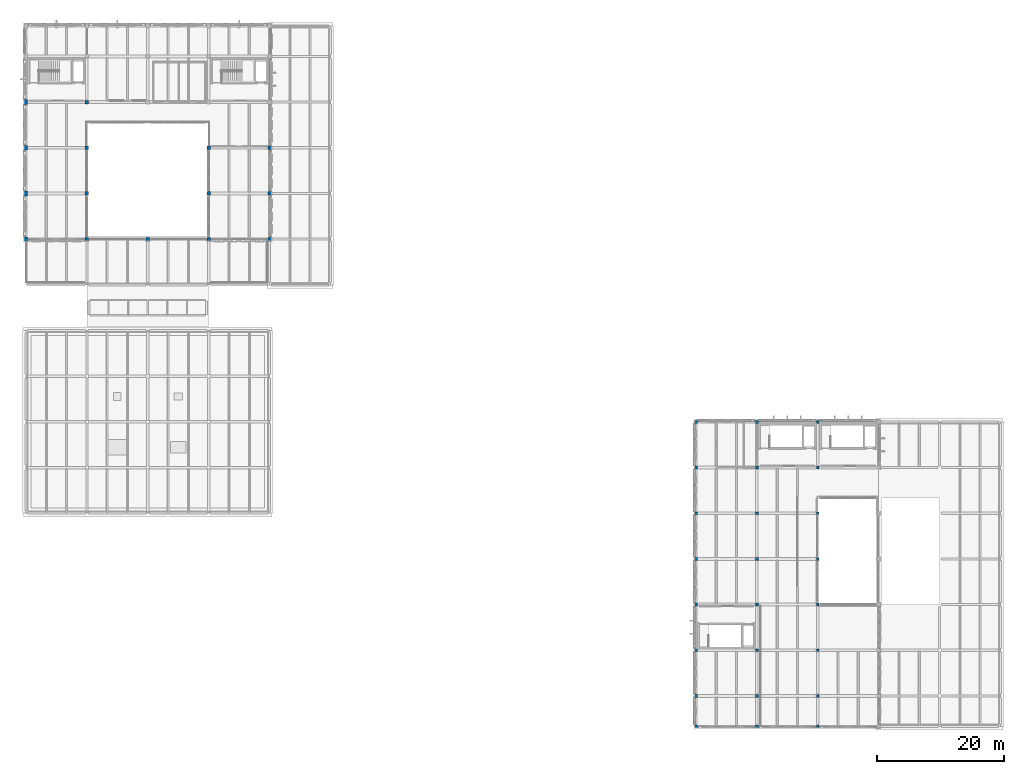
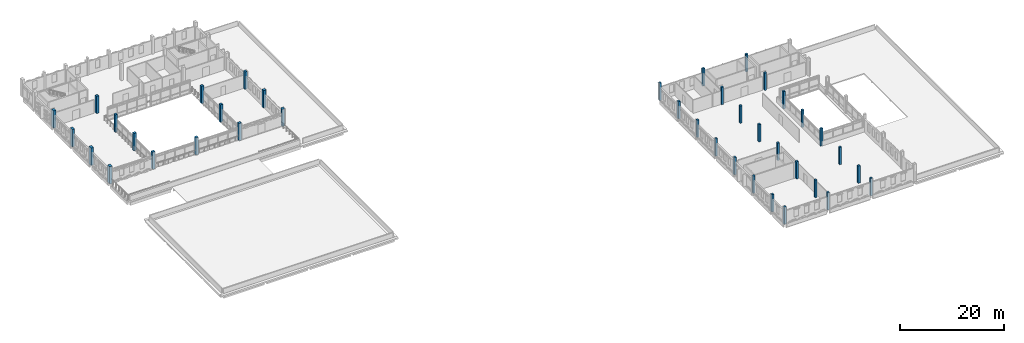
# One storey, part 1 of 50: 39 columns.
"""IFC4 building model written with IfcOpenShell, lengths in metres."""

import ifcopenshell
import ifcopenshell.guid

model = None  # the IFC model being written
_history = None  # IfcOwnerHistory: only IFC2X3 demands one
_inside = {}  # id of a spatial element -> (the spatial element, [elements in it])
_under = {}  # id of a project, library or spatial element -> (it, [spatial elements below it])
_declared = {}  # id of a project -> (the project, [libraries it declares])
_typed = {}  # id of a type object -> (the type object, [elements of that type])
_made_of = {}  # id of a material, layer set ... -> (it, [elements and type objects made of it])


def new_model(schema):
    """Start an empty IFC model of exactly this schema.

    Asked for "IFC4X3", IfcOpenShell would pick the latest addendum, in which some entities
    have other attributes; the version numbers below select the first issue.
    IFC2X3 requires an IfcOwnerHistory on every rooted entity: one is made here for all.
    """
    global model, _history
    if schema == "IFC4X3":
        model = ifcopenshell.file(schema_version=(4, 3, 0, 0))
    else:
        model = ifcopenshell.file(schema=schema)
    _inside.clear()
    _under.clear()
    _declared.clear()
    _typed.clear()
    _made_of.clear()
    _history = None
    if model.schema == "IFC2X3":
        org = make("IfcOrganization", Name="unknown")
        user = make(
            "IfcPersonAndOrganization",
            ThePerson=make("IfcPerson", FamilyName="unknown"),
            TheOrganization=org,
        )
        app = make(
            "IfcApplication",
            ApplicationDeveloper=org,
            Version="unknown",
            ApplicationFullName="unknown",
            ApplicationIdentifier="unknown",
        )
        _history = make(
            "IfcOwnerHistory",
            OwningUser=user,
            OwningApplication=app,
            ChangeAction="ADDED",
            CreationDate=0,
        )
    return model


def make(cls, **values):
    """One entity of the class cls with the attributes given. An attribute that is None is left unset."""
    return model.create_entity(
        cls, **{name: value for name, value in values.items() if value is not None}
    )


def rooted(cls, **values):
    """An entity with a GlobalId (a new one), such as an element, a storey or a relation."""
    return make(cls, GlobalId=ifcopenshell.guid.new(), OwnerHistory=_history, **values)


def si_unit(unit_type, name, prefix=None):
    """IfcSIUnit, for example si_unit("LENGTHUNIT", "METRE", prefix="MILLI")."""
    return make("IfcSIUnit", UnitType=unit_type, Prefix=prefix, Name=name)


def assignment(units):
    """IfcUnitAssignment: the units of a project."""
    return None if units is None else make("IfcUnitAssignment", Units=units)


def point(xyz):
    """IfcCartesianPoint."""
    return None if xyz is None else make("IfcCartesianPoint", Coordinates=xyz)


def direction(xyz):
    """IfcDirection."""
    return None if xyz is None else make("IfcDirection", DirectionRatios=xyz)


def frame(location, z_axis=None, x_axis=None):
    """IfcAxis2Placement3D, a coordinate frame: its origin and axes. An axis left out is left unset."""
    return make(
        "IfcAxis2Placement3D",
        Location=point(location),
        Axis=direction(z_axis),
        RefDirection=direction(x_axis),
    )


def frame_2d(location, x_axis=None):
    """IfcAxis2Placement2D, a coordinate frame in the plane: its origin and x axis."""
    return make(
        "IfcAxis2Placement2D", Location=point(location), RefDirection=direction(x_axis)
    )


def origin():
    """The frame at (0, 0, 0) with its axes left unset."""
    return frame((0.0, 0.0, 0.0))


def origin_2d():
    """The frame at (0, 0) in the plane with its x axis left unset."""
    return frame_2d((0.0, 0.0))


def place(relative_to, where):
    """IfcLocalPlacement: puts the frame where relative to a parent placement (None: the world)."""
    return make(
        "IfcLocalPlacement", PlacementRelTo=relative_to, RelativePlacement=where
    )


def context(
    kind, dimensions, precision=None, world=None, true_north=None, identifier=None
):
    """IfcGeometricRepresentationContext, for example the 3D "Model" context."""
    return make(
        "IfcGeometricRepresentationContext",
        ContextIdentifier=identifier,
        ContextType=kind,
        CoordinateSpaceDimension=dimensions,
        Precision=precision,
        WorldCoordinateSystem=world,
        TrueNorth=true_north,
    )


def subcontext(parent, identifier, kind, view, scale=None):
    """IfcGeometricRepresentationSubContext, for example "Body" below "Model"."""
    return make(
        "IfcGeometricRepresentationSubContext",
        ContextIdentifier=identifier,
        ContextType=kind,
        ParentContext=parent,
        TargetScale=scale,
        TargetView=view,
    )


def project(units=None, contexts=None):
    """IfcProject with its units and contexts."""
    return rooted(
        "IfcProject",
        Name="project",
        RepresentationContexts=contexts,
        UnitsInContext=assignment(units),
    )


def spatial(cls, under=None, at=None, **own):
    """A site, building, storey or space (cls), placed at a placement, below another one or the project."""
    s = rooted(cls, ObjectPlacement=at, **own)
    if under is not None:
        _under.setdefault(under.id(), (under, []))[1].append(s)
    return s


def profile(cls, at=None, kind="AREA", **sizes):
    """A parametric profile (cls). Its sizes go by their IFC names, for example OverallWidth=200.0."""
    return make(cls, ProfileType=kind, Position=at, **sizes)


def rectangle(**sizes):
    """IfcRectangleProfileDef."""
    return profile("IfcRectangleProfileDef", **sizes)


def extrude(swept, where, along, depth):
    """IfcExtrudedAreaSolid: the profile swept, set in the frame where, extruded along a direction by depth."""
    return make(
        "IfcExtrudedAreaSolid",
        SweptArea=swept,
        Position=where,
        ExtrudedDirection=direction(along),
        Depth=depth,
    )


def shape(context_of_items, identifier, shape_type, items):
    """IfcShapeRepresentation: the items that make up one representation, for example the "Body"."""
    return make(
        "IfcShapeRepresentation",
        ContextOfItems=context_of_items,
        RepresentationIdentifier=identifier,
        RepresentationType=shape_type,
        Items=items,
    )


def material(Name=None, Category=None):
    """IfcMaterial."""
    return make("IfcMaterial", Name=Name, Category=Category)


def material_profile(
    of_material, cross_section, Name=None, Category=None, Priority=None
):
    """IfcMaterialProfile: a cross section and its material."""
    return make(
        "IfcMaterialProfile",
        Name=Name,
        Material=of_material,
        Profile=cross_section,
        Priority=Priority,
        Category=Category,
    )


def profile_set(profiles, Name=None, composite=None):
    """IfcMaterialProfileSet."""
    return make(
        "IfcMaterialProfileSet",
        Name=Name,
        MaterialProfiles=profiles,
        CompositeProfile=composite,
    )


def made_of(thing, what):
    """Note that an element or type object is made of a material, layer set ...; save() writes the relation."""
    if what is not None:
        _made_of.setdefault(what.id(), (what, []))[1].append(thing)
    return thing


def type_object(cls, material=None, **own):
    """A type object (cls), such as IfcWallType, which elements share."""
    return made_of(rooted(cls, **own), material)


def element(
    cls,
    number,
    at=None,
    inside=None,
    cuts=None,
    type_object=None,
    material=None,
    context=None,
    identifier="Body",
    shape_type=None,
    held_by="IfcProductDefinitionShape",
    body=None,
    shapes=None,
    **own,
):
    """One element of the class cls, such as IfcWall. Its Tag is "e" and its number.

    at: its placement. inside: the storey or other place that contains it. cuts: it is an
    opening in that element (IfcRelVoidsElement). A single representation is given by context,
    identifier, shape_type and body (its items); several are given by shapes. held_by: the class
    of the entity that holds the representations. save() writes the other relations.
    """
    e = rooted(cls, Tag="e%d" % number, ObjectPlacement=at, **own)
    if body is not None:
        shapes = [shape(context, identifier, shape_type, body)]
    if shapes is not None:
        e.Representation = make(held_by, Representations=shapes)
    if inside is not None:
        _inside.setdefault(inside.id(), (inside, []))[1].append(e)
    if cuts is not None:
        rooted(
            "IfcRelVoidsElement", RelatingBuildingElement=cuts, RelatedOpeningElement=e
        )
    if type_object is not None:
        _typed.setdefault(type_object.id(), (type_object, []))[1].append(e)
    return made_of(e, material)


def aggregate(whole, parts):
    """IfcRelAggregates: a whole, such as a stair, and the parts it consists of."""
    return rooted("IfcRelAggregates", RelatingObject=whole, RelatedObjects=parts)


def save(model, path):
    """Write the relations noted so far, then the file.

    IfcRelAggregates (storeys below a building ...), IfcRelContainedInSpatialStructure (elements
    in a storey), IfcRelDefinesByType, IfcRelAssociatesMaterial and IfcRelDeclares: one each for
    every whole, place, type object, material and project.
    """
    for whole, parts in _under.values():
        aggregate(whole, parts)
    for where, things in _inside.values():
        rooted(
            "IfcRelContainedInSpatialStructure",
            RelatedElements=things,
            RelatingStructure=where,
        )
    for kind, things in _typed.values():
        rooted("IfcRelDefinesByType", RelatedObjects=things, RelatingType=kind)
    for what, things in _made_of.values():
        rooted("IfcRelAssociatesMaterial", RelatedObjects=things, RelatingMaterial=what)
    for by, libraries in _declared.values():
        rooted("IfcRelDeclares", RelatingContext=by, RelatedDefinitions=libraries)
    model.write(path)


model = new_model("IFC4")

# Units and contexts
model_context = context("Model", 3, precision=1e-05, world=origin(), true_north=direction((0.0, 1.0)))
body_context = subcontext(model_context, "Body", "Model", "MODEL_VIEW")
ifc_project = project(units=[si_unit("LENGTHUNIT", "METRE"), si_unit("AREAUNIT", "SQUARE_METRE"), si_unit("VOLUMEUNIT", "CUBIC_METRE"), si_unit("PLANEANGLEUNIT", "RADIAN"), si_unit("MASSUNIT", "GRAM", prefix="KILO")], contexts=[model_context])

# Site, building, storey
site_placement = place(None, origin())
site = spatial("IfcSite", under=ifc_project, at=site_placement, CompositionType="ELEMENT")
building_placement = place(site_placement, origin())
building = spatial("IfcBuilding", under=site, at=building_placement, Name="Asteropetra Specialist Clinic", CompositionType="ELEMENT")
storey_placement = place(building_placement, frame((0.0, 0.0, 16.659912109375)))
storey = spatial("IfcBuildingStorey", under=building, at=storey_placement, Name="L04", CompositionType="ELEMENT", Elevation=16.659912109375)

# Columns
ifc_material_1 = material(Name="Concrete C35/45", Category="concrete")
ifc_material_profile_1 = material_profile(ifc_material_1, rectangle(XDim=0.449951171875, YDim=0.449951171875, at=origin_2d()), Name="RC 450x450")
ifc_profile_set_1 = profile_set([ifc_material_profile_1], Name="Concrete C35/45")
column_type_1 = type_object("IfcColumnType", Name="COL-RC450", PredefinedType="COLUMN", material=ifc_profile_set_1)
for number, where, z_axis, x_axis, name in (
    (1, (105.60009765625, 0.0, 0.0), (0.0, 0.0, 1.0), (1.0, 0.0, 0.0), "Column CCOL08-0638"),
    (2, (105.60009765625, 4.800048828125, 0.0), (0.0, 0.0, 1.0), (1.0, 0.0, 0.0), "Column CCOL08-0643"),
    (3, (105.60009765625, 12.0, 0.0), (0.0, 0.0, 1.0), (1.0, 0.0, 0.0), "Column CCOL08-0648"),
    (4, (105.60009765625, 19.199951171875, 0.0), (0.0, 0.0, 1.0), (1.0, 0.0, 0.0), "Column CCOL08-0653"),
    (5, (105.60009765625, 26.39990234375, 0.0), (0.0, 0.0, 1.0), (1.0, 0.0, 0.0), "Column CCOL08-0658"),
    (6, (105.60009765625, 33.60009765625, 0.0), (0.0, 0.0, 1.0), (1.0, 0.0, 0.0), "Column CCOL08-0663"),
    (7, (105.60009765625, 40.800048828125, 0.0), (0.0, 0.0, 1.0), (1.0, 0.0, 0.0), "Column CCOL08-0668"),
    (8, (105.60009765625, 48.0, 0.0), (0.0, 0.0, 1.0), (1.0, 0.0, 0.0), "Column CCOL08-0673"),
    (9, (115.199951171875, 0.0, 0.0), (0.0, 0.0, 1.0), (1.0, 0.0, 0.0), "Column CCOL08-0688"),
    (10, (115.199951171875, 4.800048828125, 0.0), (0.0, 0.0, 1.0), (1.0, 0.0, 0.0), "Column CCOL08-0693"),
    (11, (115.199951171875, 12.0, 0.0), (0.0, 0.0, 1.0), (1.0, 0.0, 0.0), "Column CCOL08-0698"),
    (12, (115.199951171875, 19.199951171875, 0.0), (0.0, 0.0, 1.0), (1.0, 0.0, 0.0), "Column CCOL08-0703"),
    (13, (115.199951171875, 26.39990234375, 0.0), (0.0, 0.0, 1.0), (1.0, 0.0, 0.0), "Column CCOL08-0708"),
    (14, (115.199951171875, 33.60009765625, 0.0), (0.0, 0.0, 1.0), (1.0, 0.0, 0.0), "Column CCOL08-0713"),
    (15, (115.199951171875, 40.800048828125, 0.0), (0.0, 0.0, 1.0), (1.0, 0.0, 0.0), "Column CCOL08-0718"),
    (16, (115.199951171875, 48.0, 0.0), (0.0, 0.0, 1.0), (1.0, 0.0, 0.0), "Column CCOL08-0723"),
    (17, (124.800048828125, 0.0, 0.0), (0.0, 0.0, 1.0), (1.0, 0.0, 0.0), "Column CCOL08-0750"),
    (18, (124.800048828125, 4.800048828125, 0.0), (0.0, 0.0, 1.0), (1.0, 0.0, 0.0), "Column CCOL08-0755"),
    (19, (124.800048828125, 12.0, 0.0), (0.0, 0.0, 1.0), (1.0, 0.0, 0.0), "Column CCOL08-0760"),
    (20, (124.800048828125, 19.199951171875, 0.0), (0.0, 0.0, 1.0), (1.0, 0.0, 0.0), "Column CCOL08-0765"),
    (21, (124.800048828125, 26.39990234375, 0.0), (0.0, 0.0, 1.0), (1.0, 0.0, 0.0), "Column CCOL08-0770"),
    (22, (124.800048828125, 33.60009765625, 0.0), (0.0, 0.0, 1.0), (1.0, 0.0, 0.0), "Column CCOL08-0775"),
    (23, (124.800048828125, 40.800048828125, 0.0), (0.0, 0.0, 1.0), (1.0, 0.0, 0.0), "Column CCOL08-0780"),
    (24, (124.800048828125, 48.0, 0.0), (0.0, 0.0, 1.0), (1.0, 0.0, 0.0), "Column CCOL08-0785"),
):
    element("IfcColumn", number, at=place(storey_placement, frame(where, z_axis=z_axis, x_axis=x_axis)), inside=storey, type_object=column_type_1, Name=name, PredefinedType="COLUMN", context=body_context, shape_type="SweptSolid", body=[
        extrude(rectangle(XDim=0.449951171875, YDim=0.449951171875, at=origin_2d()), origin(), (0.0, 0.0, 1.0), 4.080078125),
    ])
ifc_material_2 = material(Name="Concrete C35/45", Category="concrete")
ifc_material_profile_2 = material_profile(ifc_material_2, rectangle(XDim=0.550048828125, YDim=0.550048828125, at=origin_2d()), Name="RC 550x550")
ifc_profile_set_2 = profile_set([ifc_material_profile_2], Name="Concrete C35/45")
column_type_2 = type_object("IfcColumnType", Name="COL-RC550", PredefinedType="COLUMN", material=ifc_profile_set_2)
for number, where, z_axis, x_axis, name in (
    (25, (9.60009765625, 76.800048828125, 0.0), (0.0, 0.0, 1.0), (1.0, 0.0, 0.0), "Column CCOL06-0129"),
    (26, (9.60009765625, 84.0, 0.0), (0.0, 0.0, 1.0), (1.0, 0.0, 0.0), "Column CCOL06-0135"),
    (27, (9.60009765625, 91.199951171875, 0.0), (0.0, 0.0, 1.0), (1.0, 0.0, 0.0), "Column CCOL06-0141"),
    (28, (9.60009765625, 98.39990234375, 0.0), (0.0, 0.0, 1.0), (1.0, 0.0, 0.0), "Column CCOL06-0147"),
    (29, (19.199951171875, 76.800048828125, 0.0), (0.0, 0.0, 1.0), (1.0, 0.0, 0.0), "Column CCOL06-0241"),
    (30, (28.800048828125, 76.800048828125, 0.0), (0.0, 0.0, 1.0), (1.0, 0.0, 0.0), "Column CCOL06-0325"),
    (31, (28.800048828125, 84.0, 0.0), (0.0, 0.0, 1.0), (1.0, 0.0, 0.0), "Column CCOL06-0331"),
    (32, (28.800048828125, 91.199951171875, 0.0), (0.0, 0.0, 1.0), (1.0, 0.0, 0.0), "Column CCOL06-0337"),
    (33, (38.39990234375, 76.800048828125, 0.0), (0.0, 0.0, 1.0), (1.0, 0.0, 0.0), "Column CCOL06-0405"),
    (34, (38.39990234375, 84.0, 0.0), (0.0, 0.0, 1.0), (1.0, 0.0, 0.0), "Column CCOL06-0411"),
    (35, (38.39990234375, 91.199951171875, 0.0), (0.0, 0.0, 1.0), (1.0, 0.0, 0.0), "Column CCOL06-0417"),
):
    element("IfcColumn", number, at=place(storey_placement, frame(where, z_axis=z_axis, x_axis=x_axis)), inside=storey, type_object=column_type_2, Name=name, PredefinedType="COLUMN", context=body_context, shape_type="SweptSolid", body=[
        extrude(rectangle(XDim=0.550048828125, YDim=0.550048828125, at=origin_2d()), origin(), (0.0, 0.0, 1.0), 4.080078125),
    ])
ifc_material_3 = material(Name="Concrete C35/45", Category="concrete")
ifc_material_profile_3 = material_profile(ifc_material_3, rectangle(XDim=0.550048828125, YDim=0.75, at=origin_2d()), Name="RC 550x750")
ifc_profile_set_3 = profile_set([ifc_material_profile_3], Name="Concrete C35/45")
column_type_3 = type_object("IfcColumnType", Name="COL-RC550x750", PredefinedType="COLUMN", material=ifc_profile_set_3)
for number, where, z_axis, x_axis, name in (
    (36, (0.0, 76.800048828125, 0.0), (0.0, 0.0, 1.0), (1.0, 0.0, 0.0), "Column CCOL10-0049"),
    (37, (0.0, 84.0, 0.0), (0.0, 0.0, 1.0), (1.0, 0.0, 0.0), "Column CCOL10-0055"),
    (38, (0.0, 91.199951171875, 0.0), (0.0, 0.0, 1.0), (1.0, 0.0, 0.0), "Column CCOL10-0061"),
    (39, (0.0, 98.39990234375, 0.0), (0.0, 0.0, 1.0), (1.0, 0.0, 0.0), "Column CCOL10-0067"),
):
    element("IfcColumn", number, at=place(storey_placement, frame(where, z_axis=z_axis, x_axis=x_axis)), inside=storey, type_object=column_type_3, Name=name, PredefinedType="COLUMN", context=body_context, shape_type="SweptSolid", body=[
        extrude(rectangle(XDim=0.550048828125, YDim=0.75, at=origin_2d()), origin(), (0.0, 0.0, 1.0), 4.080078125),
    ])

save(model, "model.ifc")
